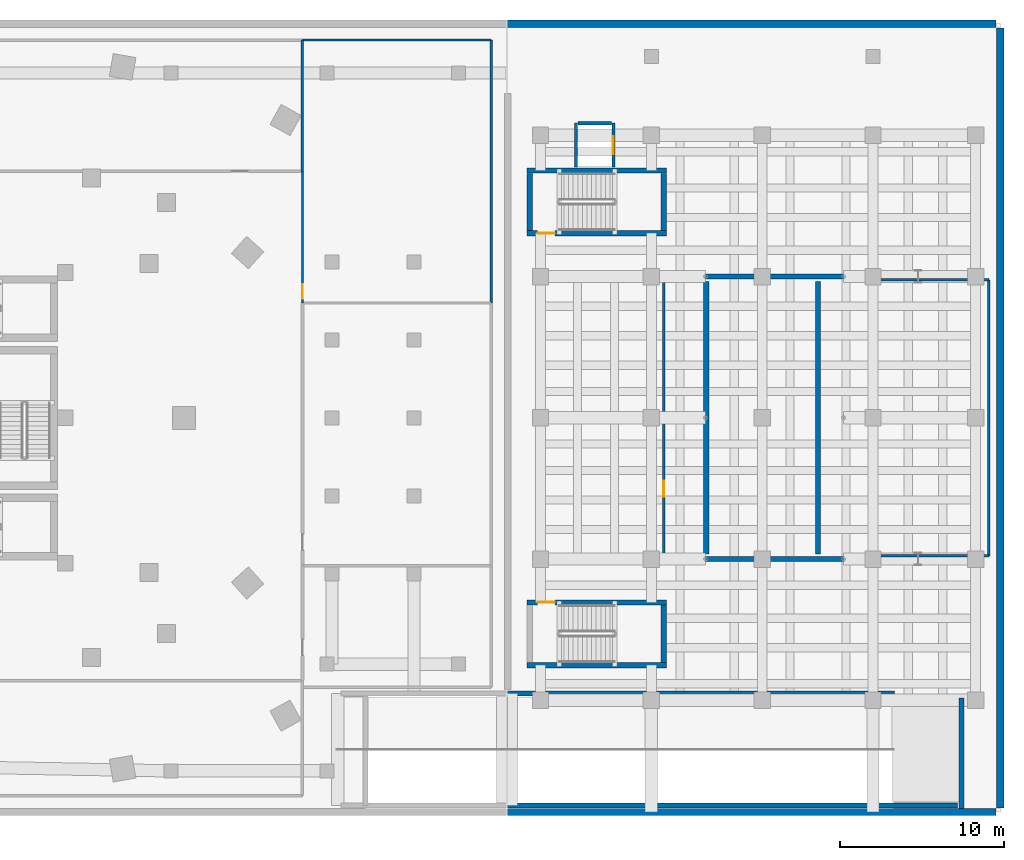
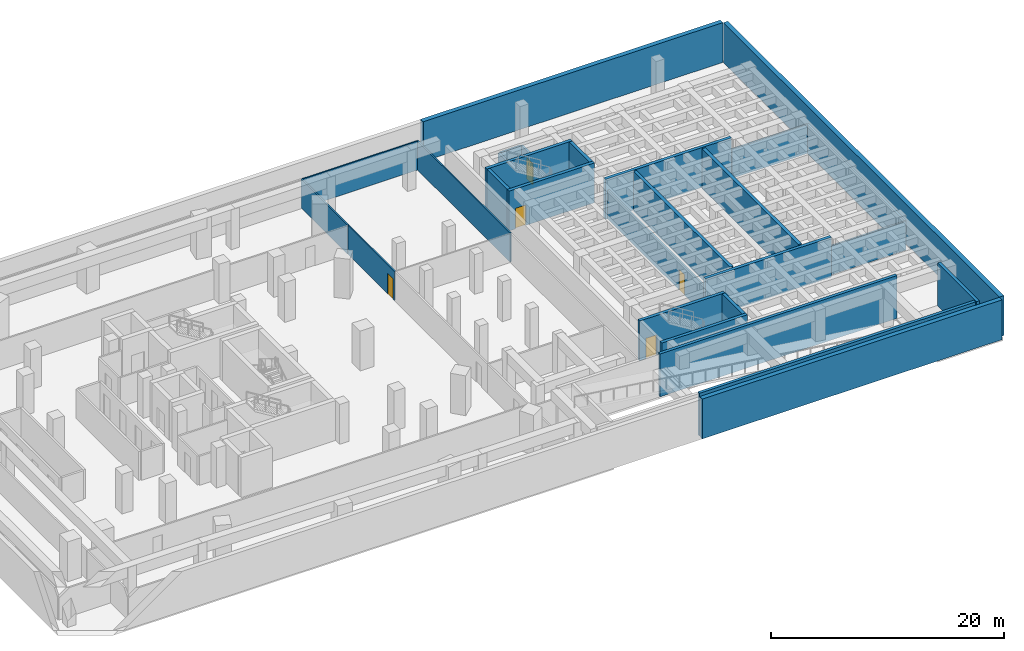
# One storey, part 9 of 13: 28 walls, 5 doors, 5 openings.
"""IFC4 building model written with IfcOpenShell, lengths in metres."""

from ifc_helpers import new_model, si_unit, direction, frame, frame_2d, origin, place, context, subcontext, project, spatial, rectangle, extrude, material, layer, layer_set, type_object, element, fill, save


model = new_model("IFC4")

# Units and contexts
model_context = context("Model", 3, precision=1e-05, world=origin(), true_north=direction((0.0, 1.0)))
body_context = subcontext(model_context, "Body", "Model", "MODEL_VIEW")
ifc_project = project(units=[si_unit("LENGTHUNIT", "METRE"), si_unit("AREAUNIT", "SQUARE_METRE"), si_unit("VOLUMEUNIT", "CUBIC_METRE"), si_unit("PLANEANGLEUNIT", "RADIAN"), si_unit("MASSUNIT", "GRAM", prefix="KILO")], contexts=[model_context])

# Site, building, storey
site_placement = place(None, origin())
site = spatial("IfcSite", under=ifc_project, at=site_placement, CompositionType="ELEMENT")
building_placement = place(site_placement, origin())
building = spatial("IfcBuilding", under=site, at=building_placement, Name="Korentha Bioscience Tower", CompositionType="ELEMENT")
storey_placement = place(building_placement, frame((0.0, 0.0, -4.5)))
storey = spatial("IfcBuildingStorey", under=building, at=storey_placement, Name="B1", CompositionType="ELEMENT", Elevation=-4.5)

# Walls
ifc_material_1 = material(Name="Double-Stud Acoustic Gypsum", Category="gypsum")
ifc_layer_1 = layer(ifc_material_1, 0.14990234375, Name="Double-Stud Acoustic Gypsum")
ifc_layer_set_1 = layer_set([ifc_layer_1], Name="Double-Stud Acoustic Gypsum (IW-L150)")
wall_type_1 = type_object("IfcWallType", Name="Acoustic Laboratory Partition Wall 150", PredefinedType="PARTITIONING", material=ifc_layer_set_1)
wall_1_placement = place(storey_placement, frame((52.0, 50.0, 0.0), z_axis=(0.0, 0.0, 1.0), x_axis=(0.0, -1.0, 0.0)))
element("IfcWall", 1, at=wall_1_placement, inside=storey, type_object=wall_type_1, Name="B1 Interior Partition 013", PredefinedType="PARTITIONING", context=body_context, shape_type="SweptSolid", body=[
    extrude(rectangle(XDim=7.989990234375, YDim=0.14990234375, at=frame_2d((3.9951171875, 0.0))), origin(), (0.0, 0.0, 1.0), 3.0400390625),
])
ifc_material_2 = material(Name="Concrete C50", Category="concrete")
ifc_layer_2 = layer(ifc_material_2, 0.449951171875, Name="Concrete C50")
ifc_layer_set_2 = layer_set([ifc_layer_2], Name="Concrete C50 (RW-01)")
wall_type_2 = type_object("IfcWallType", Name="Basement Perimeter Retaining Wall 450", PredefinedType="USERDEFINED", material=ifc_layer_set_2)
wall_2_placement = place(storey_placement, frame((64.5, 51.0, 0.0), z_axis=(0.0, 0.0, 1.0), x_axis=(1.0, 0.0, 0.0)))
element("IfcWall", 2, at=wall_2_placement, inside=storey, type_object=wall_type_2, Name="B1 Retaining Liner Wall NE", ObjectType="RETAININGWALL", PredefinedType="USERDEFINED", context=body_context, shape_type="SweptSolid", body=[
    extrude(rectangle(XDim=29.75, YDim=0.449951171875, at=frame_2d((14.875, 0.0))), origin(), (0.0, 0.0, 1.0), 4.181884765625),
])
wall_3_placement = place(storey_placement, frame((94.5, 50.75, 0.0), z_axis=(0.0, 0.0, 1.0), x_axis=(0.0, -1.0, 0.0)))
element("IfcWall", 3, at=wall_3_placement, inside=storey, type_object=wall_type_2, Name="B1 Retaining Liner Wall E", ObjectType="RETAININGWALL", PredefinedType="USERDEFINED", context=body_context, shape_type="SweptSolid", body=[
    extrude(rectangle(XDim=47.5, YDim=0.449951171875, at=frame_2d((23.75, 0.0))), origin(), (0.0, 0.0, 1.0), 4.181884765625),
])
wall_4_placement = place(storey_placement, frame((94.25, 3.0, 0.0), z_axis=(0.0, 0.0, 1.0), x_axis=(-1.0, 0.0, 0.0)))
element("IfcWall", 4, at=wall_4_placement, inside=storey, type_object=wall_type_2, Name="B1 Retaining Liner Wall SE", ObjectType="RETAININGWALL", PredefinedType="USERDEFINED", context=body_context, shape_type="SweptSolid", body=[
    extrude(rectangle(XDim=29.75, YDim=0.449951171875, at=frame_2d((14.875, 0.0))), origin(), (0.0, 0.0, 1.0), 4.181884765625),
])

# Wall, opening, door
ifc_material_3 = material(Name="Gypsum-Clad Steel Stud", Category="steel")
ifc_layer_3 = layer(ifc_material_3, 0.159912109375, Name="Gypsum-Clad Steel Stud")
ifc_layer_set_3 = layer_set([ifc_layer_3], Name="Gypsum-Clad Steel Stud (IW-C160)")
wall_type_3 = type_object("IfcWallType", Name="Fire-Rated Corridor Partition Wall 160", PredefinedType="PARTITIONING", material=ifc_layer_set_3)
wall_5_placement = place(storey_placement, frame((74.010009765625, 18.60009765625, 0.0), z_axis=(0.0, 0.0, 1.0), x_axis=(0.0, 1.0, 0.0)))
wall_5 = element("IfcWall", 5, at=wall_5_placement, inside=storey, type_object=wall_type_3, Name="B1 B1 Orchestra Pit Lift & Stage Trap Room Entrance Wall", PredefinedType="PARTITIONING", context=body_context, shape_type="SweptSolid", body=[
    extrude(rectangle(XDim=16.7998046875, YDim=0.159912109375, at=frame_2d((8.39990234375, 0.0))), origin(), (0.0, 0.0, 1.0), 3.0400390625),
])
opening_1_placement = place(wall_5_placement, frame((3.602783203125, 0.0, 0.0)))
opening_1 = element("IfcOpeningElement", 6, at=opening_1_placement, cuts=wall_5, Name="Opening ID-10R", PredefinedType="OPENING", context=body_context, shape_type="SweptSolid", body=[
    extrude(rectangle(XDim=0.949951171875, YDim=2.14990234375, at=frame_2d((0.47509765625, 1.074951171875))), frame((0.0, 0.0947265625, 0.0), z_axis=(0.0, -1.0, 0.0), x_axis=(1.0, 0.0, 0.0)), (0.0, 0.0, 1.0), 0.189697265625),
])
ifc_material_4 = material(Name="Phenolic Laminate Timber Core", Category="wood")
door_type_1 = type_object("IfcDoorType", Name="Laboratory Single Leaf Door 950x2150 Right", OperationType="SINGLE_SWING_RIGHT", PredefinedType="DOOR", material=ifc_material_4)
door_1_placement = place(opening_1_placement, origin())
door_1 = element("IfcDoor", 7, at=door_1_placement, inside=storey, type_object=door_type_1, Name="B1 B1 Orchestra Pit Lift & Stage Trap Room Door", OperationType="SINGLE_SWING_RIGHT", OverallHeight=2.14990234375, OverallWidth=0.949951171875, PredefinedType="DOOR", context=body_context, shape_type="SweptSolid", body=[
    extrude(rectangle(XDim=0.949951171875, YDim=2.14990234375, at=frame_2d((0.47509765625, 1.074951171875))), frame((0.0, 0.02490234375, 0.0), z_axis=(0.0, -1.0, 0.0), x_axis=(1.0, 0.0, 0.0)), (0.0, 0.0, 1.0), 0.050048828125),
])
fill(opening_1, door_1)

# Walls
wall_6_placement = place(storey_placement, frame((93.800048828125, 35.39990234375, 0.0), z_axis=(0.0, 0.0, 1.0), x_axis=(0.0, -1.0, 0.0)))
element("IfcWall", 8, at=wall_6_placement, inside=storey, type_object=wall_type_3, Name="B1 Interior Partition 026", PredefinedType="PARTITIONING", context=body_context, shape_type="SweptSolid", body=[
    extrude(rectangle(XDim=16.7998046875, YDim=0.159912109375, at=frame_2d((8.39990234375, 0.0))), origin(), (0.0, 0.0, 1.0), 3.0400390625),
])
for number, where, z_axis, x_axis, name in (
    (9, (93.800048828125, 18.60009765625, 0.0), (0.0, 0.0, 1.0), (-1.0, 0.0, 0.0), "B1 Interior Partition 027"),
    (10, (86.25, 35.39990234375, 0.0), (0.0, 0.0, 1.0), (1.0, 0.0, 0.0), "B1 Interior Partition 028"),
):
    element("IfcWall", number, at=place(storey_placement, frame(where, z_axis=z_axis, x_axis=x_axis)), inside=storey, type_object=wall_type_3, Name=name, PredefinedType="PARTITIONING", context=body_context, shape_type="SweptSolid", body=[
        extrude(rectangle(XDim=7.550048828125, YDim=0.159912109375, at=frame_2d((3.77490234375, 0.0))), origin(), (0.0, 0.0, 1.0), 3.0400390625),
    ])
ifc_material_5 = material(Name="Autoclaved Aerated Concrete Block C25", Category="concrete")
ifc_layer_4 = layer(ifc_material_5, 0.199951171875, Name="Autoclaved Aerated Concrete Block C25")
ifc_layer_set_4 = layer_set([ifc_layer_4], Name="Autoclaved Aerated Concrete Block C25 (IW-S200)")
wall_type_4 = type_object("IfcWallType", Name="Lift and Riser Shaft Enclosure Wall 200", PredefinedType="PARTITIONING", material=ifc_layer_set_4)
wall_7_placement = place(storey_placement, frame((68.659912109375, 42.260009765625, 0.0), z_axis=(0.0, 0.0, 1.0), x_axis=(0.0, 1.0, 0.0)))
element("IfcWall", 11, at=wall_7_placement, inside=storey, type_object=wall_type_4, Name="B1 Lift Bank LT1 Shaft Wall -X", PredefinedType="PARTITIONING", context=body_context, shape_type="SweptSolid", body=[
    extrude(rectangle(XDim=2.679931640625, YDim=0.199951171875, at=frame_2d((1.33984375, 0.0))), origin(), (0.0, 0.0, 1.0), 3.0400390625),
])

# Wall, opening, door
wall_8_placement = place(storey_placement, frame((70.93994140625, 42.260009765625, 0.0), z_axis=(0.0, 0.0, 1.0), x_axis=(0.0, 1.0, 0.0)))
wall_8 = element("IfcWall", 12, at=wall_8_placement, inside=storey, type_object=wall_type_4, Name="B1 Lift Bank LT1 Shaft Wall +X", PredefinedType="PARTITIONING", context=body_context, shape_type="SweptSolid", body=[
    extrude(rectangle(XDim=2.679931640625, YDim=0.199951171875, at=frame_2d((1.33984375, 0.0))), origin(), (0.0, 0.0, 1.0), 3.0400390625),
])
opening_2_placement = place(wall_8_placement, frame((0.7900390625, 0.0, 0.0)))
opening_2 = element("IfcOpeningElement", 13, at=opening_2_placement, cuts=wall_8, Name="Opening LD-11", PredefinedType="OPENING", context=body_context, shape_type="SweptSolid", body=[
    extrude(rectangle(XDim=1.10009765625, YDim=2.199951171875, at=frame_2d((0.550048828125, 1.10009765625))), frame((0.0, 0.11474609375, 0.0), z_axis=(0.0, -1.0, 0.0), x_axis=(1.0, 0.0, 0.0)), (0.0, 0.0, 1.0), 0.229736328125),
])
ifc_material_6 = material(Name="Brushed Stainless Steel 304", Category="steel")
door_type_2 = type_object("IfcDoorType", Name="Passenger Lift Sliding Landing Door 1100x2200", OperationType="DOUBLE_DOOR_SLIDING", PredefinedType="DOOR", material=ifc_material_6)
door_2_placement = place(opening_2_placement, origin())
door_2 = element("IfcDoor", 14, at=door_2_placement, inside=storey, type_object=door_type_2, Name="B1 LT-1 Sliding Lift Landing Door", OperationType="DOUBLE_DOOR_SLIDING", OverallHeight=2.199951171875, OverallWidth=1.10009765625, PredefinedType="DOOR", context=body_context, shape_type="SweptSolid", body=[
    extrude(rectangle(XDim=1.10009765625, YDim=2.199951171875, at=frame_2d((0.550048828125, 1.10009765625))), frame((0.0, 0.02490234375, 0.0), z_axis=(0.0, -1.0, 0.0), x_axis=(1.0, 0.0, 0.0)), (0.0, 0.0, 1.0), 0.050048828125),
])
fill(opening_2, door_2)

# Walls
wall_9_placement = place(storey_placement, frame((68.780029296875, 44.93994140625, 0.0), z_axis=(0.0, 0.0, 1.0), x_axis=(1.0, 0.0, 0.0)))
element("IfcWall", 15, at=wall_9_placement, inside=storey, type_object=wall_type_4, Name="B1 Lift Bank LT1 Shaft Wall +Y", PredefinedType="PARTITIONING", context=body_context, shape_type="SweptSolid", body=[
    extrude(rectangle(XDim=2.0400390625, YDim=0.199951171875, at=frame_2d((1.02001953125, 0.0))), origin(), (0.0, 0.0, 1.0), 3.0400390625),
])
ifc_layer_5 = layer(ifc_material_2, 0.300048828125, Name="Concrete C50")
ifc_layer_set_5 = layer_set([ifc_layer_5], Name="Concrete C50 (RW-SH300)")
wall_type_5 = type_object("IfcWallType", Name="Ramp Shaft Structural Wall 300", PredefinedType="SHEAR", material=ifc_layer_set_5)
wall_10_placement = place(storey_placement, frame((64.5, 10.199951171875, 0.0), z_axis=(0.0, 0.0, 1.0), x_axis=(1.0, 0.0, 0.0)))
element("IfcWall", 16, at=wall_10_placement, inside=storey, type_object=wall_type_5, Name="B1 Vehicle Ramp Enclosure Wall NE", PredefinedType="SHEAR", context=body_context, shape_type="SweptSolid", body=[
    extrude(rectangle(XDim=23.550048828125, YDim=0.300048828125, at=frame_2d((11.77490234375, 0.0))), origin(), (0.0, 0.0, 1.0), 4.5),
])
wall_11_placement = place(storey_placement, frame((64.5, 3.39990234375, 0.0), z_axis=(0.0, 0.0, 1.0), x_axis=(1.0, 0.0, 0.0)))
element("IfcWall", 17, at=wall_11_placement, inside=storey, type_object=wall_type_5, Name="B1 Vehicle Ramp Enclosure Wall SE", PredefinedType="SHEAR", context=body_context, shape_type="SweptSolid", body=[
    extrude(rectangle(XDim=27.39990234375, YDim=0.300048828125, at=frame_2d((13.699951171875, 0.0))), origin(), (0.0, 0.0, 1.0), 4.5),
])
wall_12_placement = place(storey_placement, frame((92.14990234375, 3.22509765625, 0.0), z_axis=(0.0, 0.0, 1.0), x_axis=(0.0, 1.0, 0.0)))
element("IfcWall", 18, at=wall_12_placement, inside=storey, type_object=wall_type_5, Name="B1 Vehicle Ramp Enclosure Wall E", PredefinedType="SHEAR", context=body_context, shape_type="SweptSolid", body=[
    extrude(rectangle(XDim=6.724853515625, YDim=0.300048828125, at=frame_2d((3.3623046875, 0.0))), origin(), (0.0, 0.0, 1.0), 4.5),
])
ifc_layer_6 = layer(ifc_material_2, 0.320068359375, Name="Concrete C50")
ifc_layer_set_6 = layer_set([ifc_layer_6], Name="Concrete C50 (TW-S320)")
wall_type_6 = type_object("IfcWallType", Name="Theatre Acoustic Shell Inner Wall 320", PredefinedType="SHEAR", material=ifc_layer_set_6)
for number, where, z_axis, x_axis, name in (
    (19, (73.75, 18.39990234375, 0.0), (0.0, 0.0, 1.0), (1.0, 0.0, 0.0), "B1 Theatre Substructure Wall BCOMP-1"),
    (20, (73.75, 35.60009765625, 0.0), (0.0, 0.0, 1.0), (1.0, 0.0, 0.0), "B1 Theatre Substructure Wall BCOMP-2"),
):
    element("IfcWall", number, at=place(storey_placement, frame(where, z_axis=z_axis, x_axis=x_axis)), inside=storey, type_object=wall_type_6, Name=name, PredefinedType="SHEAR", context=body_context, shape_type="SweptSolid", body=[
        extrude(rectangle(XDim=12.5, YDim=0.320068359375, at=frame_2d((6.25, 0.0))), origin(), (0.0, 0.0, 1.0), 4.179931640625),
    ])
for number, where, z_axis, x_axis, name in (
    (21, (76.60009765625, 18.699951171875, 0.0), (0.0, 0.0, 1.0), (0.0, 1.0, 0.0), "B1 Theatre Substructure Wall BCOMP-3"),
    (22, (83.39990234375, 18.699951171875, 0.0), (0.0, 0.0, 1.0), (0.0, 1.0, 0.0), "B1 Theatre Substructure Wall BCOMP-4"),
):
    element("IfcWall", number, at=place(storey_placement, frame(where, z_axis=z_axis, x_axis=x_axis)), inside=storey, type_object=wall_type_6, Name=name, PredefinedType="SHEAR", context=body_context, shape_type="SweptSolid", body=[
        extrude(rectangle(XDim=16.60009765625, YDim=0.320068359375, at=frame_2d((8.300048828125, 0.0))), origin(), (0.0, 0.0, 1.0), 4.179931640625),
    ])
wall_13_placement = place(storey_placement, frame((65.679931640625, 11.93994140625, 0.0), z_axis=(0.0, 0.0, 1.0), x_axis=(1.0, 0.0, 0.0)))
element("IfcWall", 23, at=wall_13_placement, inside=storey, type_object=wall_type_6, Name="B1 Theatre Substructure Wall STT1-S", PredefinedType="SHEAR", context=body_context, shape_type="SweptSolid", body=[
    extrude(rectangle(XDim=8.489990234375, YDim=0.320068359375, at=frame_2d((4.2451171875, 0.0))), origin(), (0.0, 0.0, 1.0), 4.179931640625),
])

# Wall, opening, door
wall_14_placement = place(storey_placement, frame((65.679931640625, 15.760009765625, 0.0), z_axis=(0.0, 0.0, 1.0), x_axis=(1.0, 0.0, 0.0)))
wall_14 = element("IfcWall", 24, at=wall_14_placement, inside=storey, type_object=wall_type_6, Name="B1 Theatre Substructure Wall STT1-N", PredefinedType="SHEAR", context=body_context, shape_type="SweptSolid", body=[
    extrude(rectangle(XDim=8.489990234375, YDim=0.320068359375, at=frame_2d((4.2451171875, 0.0))), origin(), (0.0, 0.0, 1.0), 4.179931640625),
])
opening_3_placement = place(wall_14_placement, frame((0.64990234375, 0.0, 0.0)))
opening_3 = element("IfcOpeningElement", 25, at=opening_3_placement, cuts=wall_14, Name="Opening FD-90L", PredefinedType="OPENING", context=body_context, shape_type="SweptSolid", body=[
    extrude(rectangle(XDim=1.050048828125, YDim=2.14990234375, at=frame_2d((0.52490234375, 1.074951171875))), frame((0.0, 0.1748046875, 0.0), z_axis=(0.0, -1.0, 0.0), x_axis=(1.0, 0.0, 0.0)), (0.0, 0.0, 1.0), 0.349853515625),
])
ifc_material_7 = material(Name="Powder-Coated Fire-Rated Steel", Category="steel")
door_type_3 = type_object("IfcDoorType", Name="Stairwell Fire Exit Door 1050x2150 Left", OperationType="SINGLE_SWING_LEFT", PredefinedType="DOOR", material=ifc_material_7)
door_3_placement = place(opening_3_placement, origin())
door_3 = element("IfcDoor", 26, at=door_3_placement, inside=storey, type_object=door_type_3, Name="B1 ST-T1 Fire Exit Stair Door", OperationType="SINGLE_SWING_LEFT", OverallHeight=2.14990234375, OverallWidth=1.050048828125, PredefinedType="DOOR", context=body_context, shape_type="SweptSolid", body=[
    extrude(rectangle(XDim=1.050048828125, YDim=2.14990234375, at=frame_2d((0.52490234375, 1.074951171875))), frame((0.0, 0.02490234375, 0.0), z_axis=(0.0, -1.0, 0.0), x_axis=(1.0, 0.0, 0.0)), (0.0, 0.0, 1.0), 0.050048828125),
])
fill(opening_3, door_3)

# Wall
wall_15_placement = place(storey_placement, frame((74.010009765625, 12.110107421875, 0.0), z_axis=(0.0, 0.0, 1.0), x_axis=(0.0, 1.0, 0.0)))
element("IfcWall", 27, at=wall_15_placement, inside=storey, type_object=wall_type_6, Name="B1 Theatre Substructure Wall STT1-E", PredefinedType="SHEAR", context=body_context, shape_type="SweptSolid", body=[
    extrude(rectangle(XDim=3.47998046875, YDim=0.320068359375, at=frame_2d((1.739990234375, 0.0))), origin(), (0.0, 0.0, 1.0), 4.179931640625),
])

# Wall, opening, door
wall_16_placement = place(storey_placement, frame((65.679931640625, 38.239990234375, 0.0), z_axis=(0.0, 0.0, 1.0), x_axis=(1.0, 0.0, 0.0)))
wall_16 = element("IfcWall", 28, at=wall_16_placement, inside=storey, type_object=wall_type_6, Name="B1 Theatre Substructure Wall STT2-S", PredefinedType="SHEAR", context=body_context, shape_type="SweptSolid", body=[
    extrude(rectangle(XDim=8.489990234375, YDim=0.320068359375, at=frame_2d((4.2451171875, 0.0))), origin(), (0.0, 0.0, 1.0), 4.179931640625),
])
opening_4_placement = place(wall_16_placement, frame((0.64990234375, 0.0, 0.0)))
opening_4 = element("IfcOpeningElement", 29, at=opening_4_placement, cuts=wall_16, Name="Opening FD-90L", PredefinedType="OPENING", context=body_context, shape_type="SweptSolid", body=[
    extrude(rectangle(XDim=1.050048828125, YDim=2.14990234375, at=frame_2d((0.52490234375, 1.074951171875))), frame((0.0, 0.1748046875, 0.0), z_axis=(0.0, -1.0, 0.0), x_axis=(1.0, 0.0, 0.0)), (0.0, 0.0, 1.0), 0.349853515625),
])
door_4_placement = place(opening_4_placement, origin())
door_4 = element("IfcDoor", 30, at=door_4_placement, inside=storey, type_object=door_type_3, Name="B1 ST-T2 Fire Exit Stair Door", OperationType="SINGLE_SWING_LEFT", OverallHeight=2.14990234375, OverallWidth=1.050048828125, PredefinedType="DOOR", context=body_context, shape_type="SweptSolid", body=[
    extrude(rectangle(XDim=1.050048828125, YDim=2.14990234375, at=frame_2d((0.52490234375, 1.074951171875))), frame((0.0, 0.02490234375, 0.0), z_axis=(0.0, -1.0, 0.0), x_axis=(1.0, 0.0, 0.0)), (0.0, 0.0, 1.0), 0.050048828125),
])
fill(opening_4, door_4)

# Walls
wall_17_placement = place(storey_placement, frame((65.679931640625, 42.06005859375, 0.0), z_axis=(0.0, 0.0, 1.0), x_axis=(1.0, 0.0, 0.0)))
element("IfcWall", 31, at=wall_17_placement, inside=storey, type_object=wall_type_6, Name="B1 Theatre Substructure Wall STT2-N", PredefinedType="SHEAR", context=body_context, shape_type="SweptSolid", body=[
    extrude(rectangle(XDim=8.489990234375, YDim=0.320068359375, at=frame_2d((4.2451171875, 0.0))), origin(), (0.0, 0.0, 1.0), 4.179931640625),
])
for number, where, z_axis, x_axis, name in (
    (32, (74.010009765625, 38.409912109375, 0.0), (0.0, 0.0, 1.0), (0.0, 1.0, 0.0), "B1 Theatre Substructure Wall STT2-E"),
    (33, (65.840087890625, 38.409912109375, 0.0), (0.0, 0.0, 1.0), (0.0, 1.0, 0.0), "B1 Theatre Substructure Wall STT2-W"),
):
    element("IfcWall", number, at=place(storey_placement, frame(where, z_axis=z_axis, x_axis=x_axis)), inside=storey, type_object=wall_type_6, Name=name, PredefinedType="SHEAR", context=body_context, shape_type="SweptSolid", body=[
        extrude(rectangle(XDim=3.47998046875, YDim=0.320068359375, at=frame_2d((1.739990234375, 0.0))), origin(), (0.0, 0.0, 1.0), 4.179931640625),
    ])

# Wall, opening, door
ifc_material_8 = material(Name="Cement-Board Steel Stud", Category="steel")
ifc_layer_7 = layer(ifc_material_8, 0.1298828125, Name="Cement-Board Steel Stud")
ifc_layer_set_7 = layer_set([ifc_layer_7], Name="Cement-Board Steel Stud (IW-W130)")
wall_type_7 = type_object("IfcWallType", Name="Wet-Area Moisture-Resistant Partition 130", PredefinedType="PARTITIONING", material=ifc_layer_set_7)
wall_18_placement = place(storey_placement, frame((52.010009765625, 34.0, 0.0), z_axis=(0.0, 0.0, 1.0), x_axis=(0.0, 1.0, 0.0)))
wall_18 = element("IfcWall", 34, at=wall_18_placement, inside=storey, type_object=wall_type_7, Name="B1 B1 Secure Bicycle Store and Changing Showers Entrance Wall", PredefinedType="PARTITIONING", context=body_context, shape_type="SweptSolid", body=[
    extrude(rectangle(XDim=8.0, YDim=0.1298828125, at=frame_2d((4.0, 0.0))), origin(), (0.0, 0.0, 1.0), 3.0400390625),
])
opening_5_placement = place(wall_18_placement, frame((0.239990234375, 0.0, 0.0)))
opening_5 = element("IfcOpeningElement", 35, at=opening_5_placement, cuts=wall_18, Name="Opening ID-09L", PredefinedType="OPENING", context=body_context, shape_type="SweptSolid", body=[
    extrude(rectangle(XDim=0.89990234375, YDim=2.14990234375, at=frame_2d((0.449951171875, 1.074951171875))), frame((0.0, 0.079833984375, 0.0), z_axis=(0.0, -1.0, 0.0), x_axis=(1.0, 0.0, 0.0)), (0.0, 0.0, 1.0), 0.15966796875),
])
ifc_material_9 = material(Name="Moisture-Resistant HPL Leaf", Category="wood")
door_type_4 = type_object("IfcDoorType", Name="Restroom & Accessible WC Door 900x2150 Left", OperationType="SINGLE_SWING_LEFT", PredefinedType="DOOR", material=ifc_material_9)
door_5_placement = place(opening_5_placement, origin())
door_5 = element("IfcDoor", 36, at=door_5_placement, inside=storey, type_object=door_type_4, Name="B1 B1 Secure Bicycle Store and Changing Showers Door", OperationType="SINGLE_SWING_LEFT", OverallHeight=2.14990234375, OverallWidth=0.89990234375, PredefinedType="DOOR", context=body_context, shape_type="SweptSolid", body=[
    extrude(rectangle(XDim=0.89990234375, YDim=2.14990234375, at=frame_2d((0.449951171875, 1.074951171875))), frame((0.0, 0.02490234375, 0.0), z_axis=(0.0, -1.0, 0.0), x_axis=(1.0, 0.0, 0.0)), (0.0, 0.0, 1.0), 0.050048828125),
])
fill(opening_5, door_5)

# Walls
wall_19_placement = place(storey_placement, frame((63.5, 50.0, 0.0), z_axis=(0.0, 0.0, 1.0), x_axis=(0.0, -1.0, 0.0)))
element("IfcWall", 37, at=wall_19_placement, inside=storey, type_object=wall_type_7, Name="B1 Interior Partition 019", PredefinedType="PARTITIONING", context=body_context, shape_type="SweptSolid", body=[
    extrude(rectangle(XDim=16.0, YDim=0.1298828125, at=frame_2d((8.0, 0.0))), origin(), (0.0, 0.0, 1.0), 3.0400390625),
])
wall_20_placement = place(storey_placement, frame((52.010009765625, 50.0, 0.0), z_axis=(0.0, 0.0, 1.0), x_axis=(1.0, 0.0, 0.0)))
element("IfcWall", 38, at=wall_20_placement, inside=storey, type_object=wall_type_7, Name="B1 Interior Partition 021", PredefinedType="PARTITIONING", context=body_context, shape_type="SweptSolid", body=[
    extrude(rectangle(XDim=11.489990234375, YDim=0.1298828125, at=frame_2d((5.7451171875, 0.0))), origin(), (0.0, 0.0, 1.0), 3.0400390625),
])

save(model, "model.ifc")
